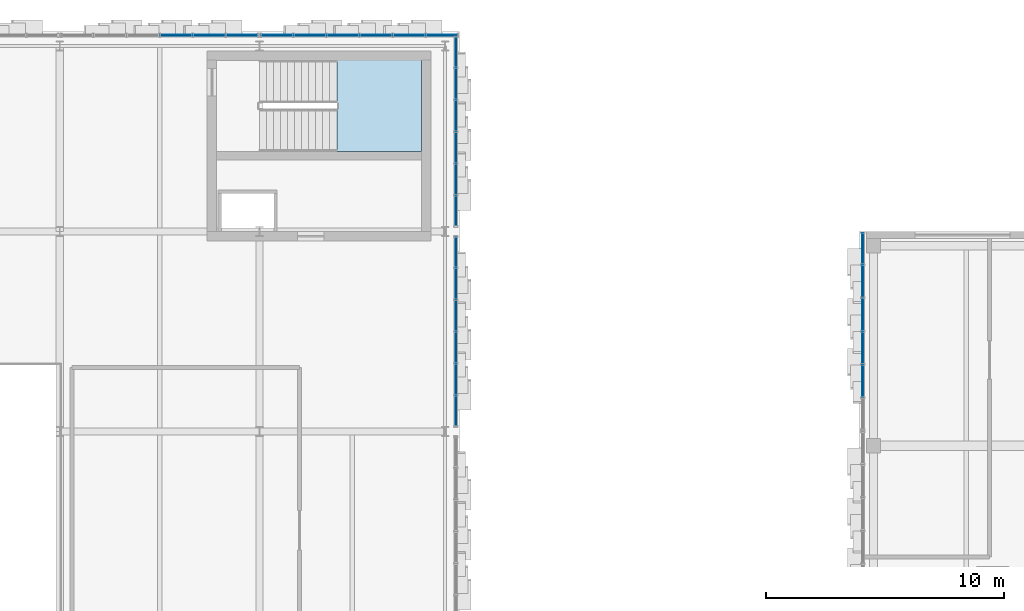
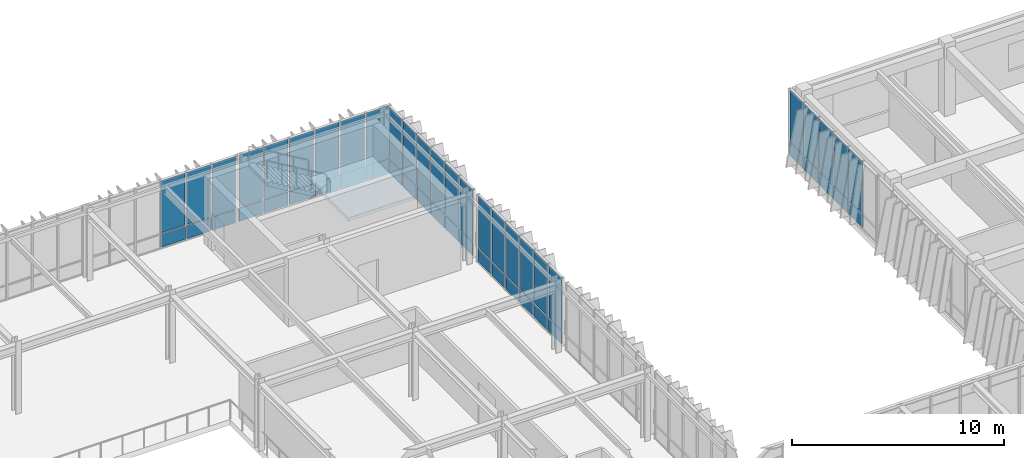
# One storey, part 92 of 127: 52 plates, 1 slab, 6 elements without a shape of their own.
"""IFC4 building model written with IfcOpenShell, lengths in metres."""

from ifc_helpers import new_model, si_unit, direction, frame, origin, origin_2d, place, context, subcontext, project, spatial, polyline, rectangle, outline, extrude, material, layer, layer_set, type_object, element, aggregate, save


model = new_model("IFC4")

# Units and contexts
model_context = context("Model", 3, precision=1e-05, world=origin(), true_north=direction((0.0, 1.0)))
body_context = subcontext(model_context, "Body", "Model", "MODEL_VIEW")
ifc_project = project(units=[si_unit("LENGTHUNIT", "METRE"), si_unit("AREAUNIT", "SQUARE_METRE"), si_unit("VOLUMEUNIT", "CUBIC_METRE"), si_unit("PLANEANGLEUNIT", "RADIAN"), si_unit("MASSUNIT", "GRAM", prefix="KILO")], contexts=[model_context])

# Site, building, storey
site_placement = place(None, origin())
site = spatial("IfcSite", under=ifc_project, at=site_placement, CompositionType="ELEMENT")
building_placement = place(site_placement, origin())
building = spatial("IfcBuilding", under=site, at=building_placement, Name="Zayran Congress Hotel", CompositionType="ELEMENT")
storey_placement = place(building_placement, frame((0.0, 0.0, 10.800048828125)))
storey = spatial("IfcBuildingStorey", under=building, at=storey_placement, Name="L02", CompositionType="ELEMENT", Elevation=10.800048828125)

# Curtain wall, plates
ifc_material_1 = material(Name="Anodised aluminium and low-E insulated glass", Category="aluminium")
ifc_layer_1 = layer(ifc_material_1, 0.179931640625)
ifc_layer_set_1 = layer_set([ifc_layer_1], Name="Anodised aluminium and low-E insulated glass")
curtain_wall_type_1 = type_object("IfcCurtainWallType", Name="CW-V1N-L02-CW-23-8360-3920", PredefinedType="USERDEFINED", material=ifc_layer_set_1)
curtain_wall_1_placement = place(storey_placement, origin())
curtain_wall_1 = element("IfcCurtainWall", 1, at=curtain_wall_1_placement, inside=storey, type_object=curtain_wall_type_1, Name="CW-V1N-L02-8", ObjectType="CURTAIN WALL", PredefinedType="USERDEFINED")
ifc_material_2 = material(Name="Insulated warm bronze aluminium spandrel panel", Category="aluminium")
ifc_layer_2 = layer(ifc_material_2, 0.06005859375)
ifc_layer_set_2 = layer_set([ifc_layer_2], Name="Insulated warm bronze aluminium spandrel panel")
plate_type_1 = type_object("IfcPlateType", Name="CWP-SP-1273-750", PredefinedType="CURTAIN_PANEL", material=ifc_layer_set_2)
plate_1_placement = place(storey_placement, frame((83.26318359375, 117.85009765625, 0.06005859375), z_axis=(0.0, 0.0, 1.0), x_axis=(1.0, 0.0, 0.0)))
plate_1 = element("IfcPlate", 2, at=plate_1_placement, type_object=plate_type_1, Name="CW-23 Spandrel Panel 1", PredefinedType="CURTAIN_PANEL", context=body_context, shape_type="SweptSolid", body=[
    extrude(rectangle(XDim=1.273193359375, YDim=0.06005859375, at=origin_2d()), origin(), (0.0, 0.0, 1.0), 0.75),
])
plate_2_placement = place(storey_placement, frame((81.889892578125, 117.85009765625, 0.06005859375), z_axis=(0.0, 0.0, 1.0), x_axis=(1.0, 0.0, 0.0)))
plate_2 = element("IfcPlate", 3, at=plate_2_placement, type_object=plate_type_1, Name="CW-23 Spandrel Panel 2", PredefinedType="CURTAIN_PANEL", context=body_context, shape_type="SweptSolid", body=[
    extrude(rectangle(XDim=1.313232421875, YDim=0.06005859375, at=origin_2d()), origin(), (0.0, 0.0, 1.0), 0.75),
])
plate_3_placement = place(storey_placement, frame((80.49658203125, 117.85009765625, 0.06005859375), z_axis=(0.0, 0.0, 1.0), x_axis=(1.0, 0.0, 0.0)))
plate_3 = element("IfcPlate", 4, at=plate_3_placement, type_object=plate_type_1, Name="CW-23 Spandrel Panel 3", PredefinedType="CURTAIN_PANEL", context=body_context, shape_type="SweptSolid", body=[
    extrude(rectangle(XDim=1.313232421875, YDim=0.06005859375, at=origin_2d()), origin(), (0.0, 0.0, 1.0), 0.75),
])

ifc_layer_3 = layer(ifc_material_1, 0.179931640625)
ifc_layer_set_3 = layer_set([ifc_layer_3], Name="Anodised aluminium and low-E insulated glass")
curtain_wall_type_2 = type_object("IfcCurtainWallType", Name="CW-V1N-L02-CW-21-8360-3920", PredefinedType="USERDEFINED", material=ifc_layer_set_3)
curtain_wall_2_placement = place(storey_placement, origin())
curtain_wall_2 = element("IfcCurtainWall", 5, at=curtain_wall_2_placement, inside=storey, type_object=curtain_wall_type_2, Name="CW-V1N-L02-9", ObjectType="CURTAIN WALL", PredefinedType="USERDEFINED")
plate_4_placement = place(storey_placement, frame((91.663330078125, 117.85009765625, 0.06005859375), z_axis=(0.0, 0.0, 1.0), x_axis=(1.0, 0.0, 0.0)))
plate_4 = element("IfcPlate", 6, at=plate_4_placement, type_object=plate_type_1, Name="CW-21 Spandrel Panel 1", PredefinedType="CURTAIN_PANEL", context=body_context, shape_type="SweptSolid", body=[
    extrude(rectangle(XDim=1.273193359375, YDim=0.06005859375, at=origin_2d()), origin(), (0.0, 0.0, 1.0), 0.75),
])
plate_5_placement = place(storey_placement, frame((90.2900390625, 117.85009765625, 0.06005859375), z_axis=(0.0, 0.0, 1.0), x_axis=(1.0, 0.0, 0.0)))
plate_5 = element("IfcPlate", 7, at=plate_5_placement, type_object=plate_type_1, Name="CW-21 Spandrel Panel 2", PredefinedType="CURTAIN_PANEL", context=body_context, shape_type="SweptSolid", body=[
    extrude(rectangle(XDim=1.313232421875, YDim=0.06005859375, at=origin_2d()), origin(), (0.0, 0.0, 1.0), 0.75),
])
plate_6_placement = place(storey_placement, frame((88.896728515625, 117.85009765625, 0.06005859375), z_axis=(0.0, 0.0, 1.0), x_axis=(1.0, 0.0, 0.0)))
plate_6 = element("IfcPlate", 8, at=plate_6_placement, type_object=plate_type_1, Name="CW-21 Spandrel Panel 3", PredefinedType="CURTAIN_PANEL", context=body_context, shape_type="SweptSolid", body=[
    extrude(rectangle(XDim=1.313232421875, YDim=0.06005859375, at=origin_2d()), origin(), (0.0, 0.0, 1.0), 0.75),
])
plate_7_placement = place(storey_placement, frame((87.50341796875, 117.85009765625, 0.06005859375), z_axis=(0.0, 0.0, 1.0), x_axis=(1.0, 0.0, 0.0)))
plate_7 = element("IfcPlate", 9, at=plate_7_placement, type_object=plate_type_1, Name="CW-21 Spandrel Panel 4", PredefinedType="CURTAIN_PANEL", context=body_context, shape_type="SweptSolid", body=[
    extrude(rectangle(XDim=1.313232421875, YDim=0.06005859375, at=origin_2d()), origin(), (0.0, 0.0, 1.0), 0.75),
])
plate_8_placement = place(storey_placement, frame((86.110107421875, 117.85009765625, 0.06005859375), z_axis=(0.0, 0.0, 1.0), x_axis=(1.0, 0.0, 0.0)))
plate_8 = element("IfcPlate", 10, at=plate_8_placement, type_object=plate_type_1, Name="CW-21 Spandrel Panel 5", PredefinedType="CURTAIN_PANEL", context=body_context, shape_type="SweptSolid", body=[
    extrude(rectangle(XDim=1.313232421875, YDim=0.06005859375, at=origin_2d()), origin(), (0.0, 0.0, 1.0), 0.75),
])
plate_9_placement = place(storey_placement, frame((84.73681640625, 117.85009765625, 0.06005859375), z_axis=(0.0, 0.0, 1.0), x_axis=(1.0, 0.0, 0.0)))
plate_9 = element("IfcPlate", 11, at=plate_9_placement, type_object=plate_type_1, Name="CW-21 Spandrel Panel 6", PredefinedType="CURTAIN_PANEL", context=body_context, shape_type="SweptSolid", body=[
    extrude(rectangle(XDim=1.273193359375, YDim=0.06005859375, at=origin_2d()), origin(), (0.0, 0.0, 1.0), 0.75),
])

ifc_layer_4 = layer(ifc_material_1, 0.179931640625)
ifc_layer_set_4 = layer_set([ifc_layer_4], Name="Anodised aluminium and low-E insulated glass")
curtain_wall_type_3 = type_object("IfcCurtainWallType", Name="CW-V1E-L02-CW-41-8040-3920", PredefinedType="USERDEFINED", material=ifc_layer_set_4)
curtain_wall_3_placement = place(storey_placement, origin())
curtain_wall_3 = element("IfcCurtainWall", 12, at=curtain_wall_3_placement, inside=storey, type_object=curtain_wall_type_3, Name="CW-V1E-L02-4", ObjectType="CURTAIN WALL", PredefinedType="USERDEFINED")
ifc_layer_5 = layer(ifc_material_2, 0.06005859375)
ifc_layer_set_5 = layer_set([ifc_layer_5], Name="Insulated warm bronze aluminium spandrel panel")
plate_type_2 = type_object("IfcPlateType", Name="CWP-SP-1220-750", PredefinedType="CURTAIN_PANEL", material=ifc_layer_set_5)
plate_10_placement = place(storey_placement, frame((92.25, 102.070068359375, 0.06005859375), z_axis=(0.0, 0.0, 1.0), x_axis=(0.0, 1.0, 0.0)))
plate_10 = element("IfcPlate", 13, at=plate_10_placement, type_object=plate_type_2, Name="CW-41 Spandrel Panel 1", PredefinedType="CURTAIN_PANEL", context=body_context, shape_type="SweptSolid", body=[
    extrude(rectangle(XDim=1.219970703125, YDim=0.06005859375, at=origin_2d()), origin(), (0.0, 0.0, 1.0), 0.75),
])
plate_11_placement = place(storey_placement, frame((92.25, 103.389892578125, 0.06005859375), z_axis=(0.0, 0.0, 1.0), x_axis=(0.0, 1.0, 0.0)))
plate_11 = element("IfcPlate", 14, at=plate_11_placement, type_object=plate_type_2, Name="CW-41 Spandrel Panel 2", PredefinedType="CURTAIN_PANEL", context=body_context, shape_type="SweptSolid", body=[
    extrude(rectangle(XDim=1.260009765625, YDim=0.06005859375, at=origin_2d()), origin(), (0.0, 0.0, 1.0), 0.75),
])
plate_12_placement = place(storey_placement, frame((92.25, 104.72998046875, 0.06005859375), z_axis=(0.0, 0.0, 1.0), x_axis=(0.0, 1.0, 0.0)))
plate_12 = element("IfcPlate", 15, at=plate_12_placement, type_object=plate_type_2, Name="CW-41 Spandrel Panel 3", PredefinedType="CURTAIN_PANEL", context=body_context, shape_type="SweptSolid", body=[
    extrude(rectangle(XDim=1.260009765625, YDim=0.06005859375, at=origin_2d()), origin(), (0.0, 0.0, 1.0), 0.75),
])
plate_13_placement = place(storey_placement, frame((92.25, 106.070068359375, 0.06005859375), z_axis=(0.0, 0.0, 1.0), x_axis=(0.0, 1.0, 0.0)))
plate_13 = element("IfcPlate", 16, at=plate_13_placement, type_object=plate_type_2, Name="CW-41 Spandrel Panel 4", PredefinedType="CURTAIN_PANEL", context=body_context, shape_type="SweptSolid", body=[
    extrude(rectangle(XDim=1.260009765625, YDim=0.06005859375, at=origin_2d()), origin(), (0.0, 0.0, 1.0), 0.75),
])
plate_14_placement = place(storey_placement, frame((92.25, 107.409912109375, 0.06005859375), z_axis=(0.0, 0.0, 1.0), x_axis=(0.0, 1.0, 0.0)))
plate_14 = element("IfcPlate", 17, at=plate_14_placement, type_object=plate_type_2, Name="CW-41 Spandrel Panel 5", PredefinedType="CURTAIN_PANEL", context=body_context, shape_type="SweptSolid", body=[
    extrude(rectangle(XDim=1.260009765625, YDim=0.06005859375, at=origin_2d()), origin(), (0.0, 0.0, 1.0), 0.75),
])
plate_15_placement = place(storey_placement, frame((92.25, 108.72998046875, 0.06005859375), z_axis=(0.0, 0.0, 1.0), x_axis=(0.0, 1.0, 0.0)))
plate_15 = element("IfcPlate", 18, at=plate_15_placement, type_object=plate_type_2, Name="CW-41 Spandrel Panel 6", PredefinedType="CURTAIN_PANEL", context=body_context, shape_type="SweptSolid", body=[
    extrude(rectangle(XDim=1.219970703125, YDim=0.06005859375, at=origin_2d()), origin(), (0.0, 0.0, 1.0), 0.75),
])

ifc_layer_6 = layer(ifc_material_1, 0.179931640625)
ifc_layer_set_6 = layer_set([ifc_layer_6], Name="Anodised aluminium and low-E insulated glass")
curtain_wall_type_4 = type_object("IfcCurtainWallType", Name="CW-V1E-L02-CW-42-8040-3920", PredefinedType="USERDEFINED", material=ifc_layer_set_6)
curtain_wall_4_placement = place(storey_placement, origin())
curtain_wall_4 = element("IfcCurtainWall", 19, at=curtain_wall_4_placement, inside=storey, type_object=curtain_wall_type_4, Name="CW-V1E-L02-5", ObjectType="CURTAIN WALL", PredefinedType="USERDEFINED")
plate_16_placement = place(storey_placement, frame((92.25, 110.469970703125, 0.06005859375), z_axis=(0.0, 0.0, 1.0), x_axis=(0.0, 1.0, 0.0)))
plate_16 = element("IfcPlate", 20, at=plate_16_placement, type_object=plate_type_2, Name="CW-42 Spandrel Panel 1", PredefinedType="CURTAIN_PANEL", context=body_context, shape_type="SweptSolid", body=[
    extrude(rectangle(XDim=1.219970703125, YDim=0.06005859375, at=origin_2d()), origin(), (0.0, 0.0, 1.0), 0.75),
])
plate_17_placement = place(storey_placement, frame((92.25, 111.7900390625, 0.06005859375), z_axis=(0.0, 0.0, 1.0), x_axis=(0.0, 1.0, 0.0)))
plate_17 = element("IfcPlate", 21, at=plate_17_placement, type_object=plate_type_2, Name="CW-42 Spandrel Panel 2", PredefinedType="CURTAIN_PANEL", context=body_context, shape_type="SweptSolid", body=[
    extrude(rectangle(XDim=1.260009765625, YDim=0.06005859375, at=origin_2d()), origin(), (0.0, 0.0, 1.0), 0.75),
])
plate_18_placement = place(storey_placement, frame((92.25, 113.1298828125, 0.06005859375), z_axis=(0.0, 0.0, 1.0), x_axis=(0.0, 1.0, 0.0)))
plate_18 = element("IfcPlate", 22, at=plate_18_placement, type_object=plate_type_2, Name="CW-42 Spandrel Panel 3", PredefinedType="CURTAIN_PANEL", context=body_context, shape_type="SweptSolid", body=[
    extrude(rectangle(XDim=1.260009765625, YDim=0.06005859375, at=origin_2d()), origin(), (0.0, 0.0, 1.0), 0.75),
])
plate_19_placement = place(storey_placement, frame((92.25, 114.469970703125, 0.06005859375), z_axis=(0.0, 0.0, 1.0), x_axis=(0.0, 1.0, 0.0)))
plate_19 = element("IfcPlate", 23, at=plate_19_placement, type_object=plate_type_2, Name="CW-42 Spandrel Panel 4", PredefinedType="CURTAIN_PANEL", context=body_context, shape_type="SweptSolid", body=[
    extrude(rectangle(XDim=1.260009765625, YDim=0.06005859375, at=origin_2d()), origin(), (0.0, 0.0, 1.0), 0.75),
])
plate_20_placement = place(storey_placement, frame((92.25, 115.81005859375, 0.06005859375), z_axis=(0.0, 0.0, 1.0), x_axis=(0.0, 1.0, 0.0)))
plate_20 = element("IfcPlate", 24, at=plate_20_placement, type_object=plate_type_2, Name="CW-42 Spandrel Panel 5", PredefinedType="CURTAIN_PANEL", context=body_context, shape_type="SweptSolid", body=[
    extrude(rectangle(XDim=1.260009765625, YDim=0.06005859375, at=origin_2d()), origin(), (0.0, 0.0, 1.0), 0.75),
])
plate_21_placement = place(storey_placement, frame((92.25, 117.1298828125, 0.06005859375), z_axis=(0.0, 0.0, 1.0), x_axis=(0.0, 1.0, 0.0)))
plate_21 = element("IfcPlate", 25, at=plate_21_placement, type_object=plate_type_2, Name="CW-42 Spandrel Panel 6", PredefinedType="CURTAIN_PANEL", context=body_context, shape_type="SweptSolid", body=[
    extrude(rectangle(XDim=1.219970703125, YDim=0.06005859375, at=origin_2d()), origin(), (0.0, 0.0, 1.0), 0.75),
])

# Plate
ifc_layer_7 = layer(ifc_material_1, 0.028076171875)
ifc_layer_set_7 = layer_set([ifc_layer_7], Name="Anodised aluminium and low-E insulated glass")
plate_type_3 = type_object("IfcPlateType", Name="CWP-GL-1273-2990", PredefinedType="CURTAIN_PANEL", material=ifc_layer_set_7)
plate_22_placement = place(storey_placement, frame((83.26318359375, 117.85009765625, 0.8701171875), z_axis=(0.0, 0.0, 1.0), x_axis=(1.0, 0.0, 0.0)))
plate_22 = element("IfcPlate", 26, at=plate_22_placement, type_object=plate_type_3, Name="CW-23 Glazed Panel 1", PredefinedType="CURTAIN_PANEL", context=body_context, shape_type="SweptSolid", body=[
    extrude(rectangle(XDim=1.273193359375, YDim=0.028076171875, at=origin_2d()), origin(), (0.0, 0.0, 1.0), 2.989990234375),
])

plate_23_placement = place(storey_placement, frame((81.889892578125, 117.85009765625, 0.8701171875), z_axis=(0.0, 0.0, 1.0), x_axis=(1.0, 0.0, 0.0)))
plate_23 = element("IfcPlate", 27, at=plate_23_placement, type_object=plate_type_3, Name="CW-23 Glazed Panel 2", PredefinedType="CURTAIN_PANEL", context=body_context, shape_type="SweptSolid", body=[
    extrude(rectangle(XDim=1.313232421875, YDim=0.028076171875, at=origin_2d()), origin(), (0.0, 0.0, 1.0), 2.989990234375),
])

plate_24_placement = place(storey_placement, frame((80.49658203125, 117.85009765625, 0.8701171875), z_axis=(0.0, 0.0, 1.0), x_axis=(1.0, 0.0, 0.0)))
plate_24 = element("IfcPlate", 28, at=plate_24_placement, type_object=plate_type_3, Name="CW-23 Glazed Panel 3", PredefinedType="CURTAIN_PANEL", context=body_context, shape_type="SweptSolid", body=[
    extrude(rectangle(XDim=1.313232421875, YDim=0.028076171875, at=origin_2d()), origin(), (0.0, 0.0, 1.0), 2.989990234375),
])

aggregate(curtain_wall_1, [plate_1, plate_22, plate_2, plate_23, plate_3, plate_24])

plate_25_placement = place(storey_placement, frame((91.663330078125, 117.85009765625, 0.8701171875), z_axis=(0.0, 0.0, 1.0), x_axis=(1.0, 0.0, 0.0)))
plate_25 = element("IfcPlate", 29, at=plate_25_placement, type_object=plate_type_3, Name="CW-21 Glazed Panel 1", PredefinedType="CURTAIN_PANEL", context=body_context, shape_type="SweptSolid", body=[
    extrude(rectangle(XDim=1.273193359375, YDim=0.028076171875, at=origin_2d()), origin(), (0.0, 0.0, 1.0), 2.989990234375),
])

plate_26_placement = place(storey_placement, frame((90.2900390625, 117.85009765625, 0.8701171875), z_axis=(0.0, 0.0, 1.0), x_axis=(1.0, 0.0, 0.0)))
plate_26 = element("IfcPlate", 30, at=plate_26_placement, type_object=plate_type_3, Name="CW-21 Glazed Panel 2", PredefinedType="CURTAIN_PANEL", context=body_context, shape_type="SweptSolid", body=[
    extrude(rectangle(XDim=1.313232421875, YDim=0.028076171875, at=origin_2d()), origin(), (0.0, 0.0, 1.0), 2.989990234375),
])

plate_27_placement = place(storey_placement, frame((88.896728515625, 117.85009765625, 0.8701171875), z_axis=(0.0, 0.0, 1.0), x_axis=(1.0, 0.0, 0.0)))
plate_27 = element("IfcPlate", 31, at=plate_27_placement, type_object=plate_type_3, Name="CW-21 Glazed Panel 3", PredefinedType="CURTAIN_PANEL", context=body_context, shape_type="SweptSolid", body=[
    extrude(rectangle(XDim=1.313232421875, YDim=0.028076171875, at=origin_2d()), origin(), (0.0, 0.0, 1.0), 2.989990234375),
])

plate_28_placement = place(storey_placement, frame((87.50341796875, 117.85009765625, 0.8701171875), z_axis=(0.0, 0.0, 1.0), x_axis=(1.0, 0.0, 0.0)))
plate_28 = element("IfcPlate", 32, at=plate_28_placement, type_object=plate_type_3, Name="CW-21 Glazed Panel 4", PredefinedType="CURTAIN_PANEL", context=body_context, shape_type="SweptSolid", body=[
    extrude(rectangle(XDim=1.313232421875, YDim=0.028076171875, at=origin_2d()), origin(), (0.0, 0.0, 1.0), 2.989990234375),
])

plate_29_placement = place(storey_placement, frame((86.110107421875, 117.85009765625, 0.8701171875), z_axis=(0.0, 0.0, 1.0), x_axis=(1.0, 0.0, 0.0)))
plate_29 = element("IfcPlate", 33, at=plate_29_placement, type_object=plate_type_3, Name="CW-21 Glazed Panel 5", PredefinedType="CURTAIN_PANEL", context=body_context, shape_type="SweptSolid", body=[
    extrude(rectangle(XDim=1.313232421875, YDim=0.028076171875, at=origin_2d()), origin(), (0.0, 0.0, 1.0), 2.989990234375),
])

plate_30_placement = place(storey_placement, frame((84.73681640625, 117.85009765625, 0.8701171875), z_axis=(0.0, 0.0, 1.0), x_axis=(1.0, 0.0, 0.0)))
plate_30 = element("IfcPlate", 34, at=plate_30_placement, type_object=plate_type_3, Name="CW-21 Glazed Panel 6", PredefinedType="CURTAIN_PANEL", context=body_context, shape_type="SweptSolid", body=[
    extrude(rectangle(XDim=1.273193359375, YDim=0.028076171875, at=origin_2d()), origin(), (0.0, 0.0, 1.0), 2.989990234375),
])

aggregate(curtain_wall_2, [plate_4, plate_25, plate_5, plate_26, plate_6, plate_27, plate_7, plate_28, plate_8, plate_29, plate_9, plate_30])

ifc_layer_8 = layer(ifc_material_1, 0.028076171875)
ifc_layer_set_8 = layer_set([ifc_layer_8], Name="Anodised aluminium and low-E insulated glass")
plate_type_4 = type_object("IfcPlateType", Name="CWP-GL-1220-2990", PredefinedType="CURTAIN_PANEL", material=ifc_layer_set_8)
plate_31_placement = place(storey_placement, frame((92.25, 102.070068359375, 0.8701171875), z_axis=(0.0, 0.0, 1.0), x_axis=(0.0, 1.0, 0.0)))
plate_31 = element("IfcPlate", 35, at=plate_31_placement, type_object=plate_type_4, Name="CW-41 Glazed Panel 1", PredefinedType="CURTAIN_PANEL", context=body_context, shape_type="SweptSolid", body=[
    extrude(rectangle(XDim=1.219970703125, YDim=0.028076171875, at=origin_2d()), origin(), (0.0, 0.0, 1.0), 2.989990234375),
])

plate_32_placement = place(storey_placement, frame((92.25, 103.389892578125, 0.8701171875), z_axis=(0.0, 0.0, 1.0), x_axis=(0.0, 1.0, 0.0)))
plate_32 = element("IfcPlate", 36, at=plate_32_placement, type_object=plate_type_4, Name="CW-41 Glazed Panel 2", PredefinedType="CURTAIN_PANEL", context=body_context, shape_type="SweptSolid", body=[
    extrude(rectangle(XDim=1.260009765625, YDim=0.028076171875, at=origin_2d()), origin(), (0.0, 0.0, 1.0), 2.989990234375),
])

plate_33_placement = place(storey_placement, frame((92.25, 104.72998046875, 0.8701171875), z_axis=(0.0, 0.0, 1.0), x_axis=(0.0, 1.0, 0.0)))
plate_33 = element("IfcPlate", 37, at=plate_33_placement, type_object=plate_type_4, Name="CW-41 Glazed Panel 3", PredefinedType="CURTAIN_PANEL", context=body_context, shape_type="SweptSolid", body=[
    extrude(rectangle(XDim=1.260009765625, YDim=0.028076171875, at=origin_2d()), origin(), (0.0, 0.0, 1.0), 2.989990234375),
])

plate_34_placement = place(storey_placement, frame((92.25, 106.070068359375, 0.8701171875), z_axis=(0.0, 0.0, 1.0), x_axis=(0.0, 1.0, 0.0)))
plate_34 = element("IfcPlate", 38, at=plate_34_placement, type_object=plate_type_4, Name="CW-41 Glazed Panel 4", PredefinedType="CURTAIN_PANEL", context=body_context, shape_type="SweptSolid", body=[
    extrude(rectangle(XDim=1.260009765625, YDim=0.028076171875, at=origin_2d()), origin(), (0.0, 0.0, 1.0), 2.989990234375),
])

plate_35_placement = place(storey_placement, frame((92.25, 107.409912109375, 0.8701171875), z_axis=(0.0, 0.0, 1.0), x_axis=(0.0, 1.0, 0.0)))
plate_35 = element("IfcPlate", 39, at=plate_35_placement, type_object=plate_type_4, Name="CW-41 Glazed Panel 5", PredefinedType="CURTAIN_PANEL", context=body_context, shape_type="SweptSolid", body=[
    extrude(rectangle(XDim=1.260009765625, YDim=0.028076171875, at=origin_2d()), origin(), (0.0, 0.0, 1.0), 2.989990234375),
])

plate_36_placement = place(storey_placement, frame((92.25, 108.72998046875, 0.8701171875), z_axis=(0.0, 0.0, 1.0), x_axis=(0.0, 1.0, 0.0)))
plate_36 = element("IfcPlate", 40, at=plate_36_placement, type_object=plate_type_4, Name="CW-41 Glazed Panel 6", PredefinedType="CURTAIN_PANEL", context=body_context, shape_type="SweptSolid", body=[
    extrude(rectangle(XDim=1.219970703125, YDim=0.028076171875, at=origin_2d()), origin(), (0.0, 0.0, 1.0), 2.989990234375),
])

aggregate(curtain_wall_3, [plate_10, plate_31, plate_11, plate_32, plate_12, plate_33, plate_13, plate_34, plate_14, plate_35, plate_15, plate_36])

plate_37_placement = place(storey_placement, frame((92.25, 110.469970703125, 0.8701171875), z_axis=(0.0, 0.0, 1.0), x_axis=(0.0, 1.0, 0.0)))
plate_37 = element("IfcPlate", 41, at=plate_37_placement, type_object=plate_type_4, Name="CW-42 Glazed Panel 1", PredefinedType="CURTAIN_PANEL", context=body_context, shape_type="SweptSolid", body=[
    extrude(rectangle(XDim=1.219970703125, YDim=0.028076171875, at=origin_2d()), origin(), (0.0, 0.0, 1.0), 2.989990234375),
])

plate_38_placement = place(storey_placement, frame((92.25, 111.7900390625, 0.8701171875), z_axis=(0.0, 0.0, 1.0), x_axis=(0.0, 1.0, 0.0)))
plate_38 = element("IfcPlate", 42, at=plate_38_placement, type_object=plate_type_4, Name="CW-42 Glazed Panel 2", PredefinedType="CURTAIN_PANEL", context=body_context, shape_type="SweptSolid", body=[
    extrude(rectangle(XDim=1.260009765625, YDim=0.028076171875, at=origin_2d()), origin(), (0.0, 0.0, 1.0), 2.989990234375),
])

plate_39_placement = place(storey_placement, frame((92.25, 113.1298828125, 0.8701171875), z_axis=(0.0, 0.0, 1.0), x_axis=(0.0, 1.0, 0.0)))
plate_39 = element("IfcPlate", 43, at=plate_39_placement, type_object=plate_type_4, Name="CW-42 Glazed Panel 3", PredefinedType="CURTAIN_PANEL", context=body_context, shape_type="SweptSolid", body=[
    extrude(rectangle(XDim=1.260009765625, YDim=0.028076171875, at=origin_2d()), origin(), (0.0, 0.0, 1.0), 2.989990234375),
])

plate_40_placement = place(storey_placement, frame((92.25, 114.469970703125, 0.8701171875), z_axis=(0.0, 0.0, 1.0), x_axis=(0.0, 1.0, 0.0)))
plate_40 = element("IfcPlate", 44, at=plate_40_placement, type_object=plate_type_4, Name="CW-42 Glazed Panel 4", PredefinedType="CURTAIN_PANEL", context=body_context, shape_type="SweptSolid", body=[
    extrude(rectangle(XDim=1.260009765625, YDim=0.028076171875, at=origin_2d()), origin(), (0.0, 0.0, 1.0), 2.989990234375),
])

plate_41_placement = place(storey_placement, frame((92.25, 115.81005859375, 0.8701171875), z_axis=(0.0, 0.0, 1.0), x_axis=(0.0, 1.0, 0.0)))
plate_41 = element("IfcPlate", 45, at=plate_41_placement, type_object=plate_type_4, Name="CW-42 Glazed Panel 5", PredefinedType="CURTAIN_PANEL", context=body_context, shape_type="SweptSolid", body=[
    extrude(rectangle(XDim=1.260009765625, YDim=0.028076171875, at=origin_2d()), origin(), (0.0, 0.0, 1.0), 2.989990234375),
])

plate_42_placement = place(storey_placement, frame((92.25, 117.1298828125, 0.8701171875), z_axis=(0.0, 0.0, 1.0), x_axis=(0.0, 1.0, 0.0)))
plate_42 = element("IfcPlate", 46, at=plate_42_placement, type_object=plate_type_4, Name="CW-42 Glazed Panel 6", PredefinedType="CURTAIN_PANEL", context=body_context, shape_type="SweptSolid", body=[
    extrude(rectangle(XDim=1.219970703125, YDim=0.028076171875, at=origin_2d()), origin(), (0.0, 0.0, 1.0), 2.989990234375),
])

aggregate(curtain_wall_4, [plate_16, plate_37, plate_17, plate_38, plate_18, plate_39, plate_19, plate_40, plate_20, plate_41, plate_21, plate_42])

# Curtain wall, plates
ifc_layer_9 = layer(ifc_material_1, 0.179931640625)
ifc_layer_set_9 = layer_set([ifc_layer_9], Name="Anodised aluminium and low-E insulated glass")
curtain_wall_type_5 = type_object("IfcCurtainWallType", Name="CW-V4W-L02-CW-52-8376-3920", PredefinedType="USERDEFINED", material=ifc_layer_set_9)
curtain_wall_5_placement = place(storey_placement, origin())
curtain_wall_5 = element("IfcCurtainWall", 47, at=curtain_wall_5_placement, inside=storey, type_object=curtain_wall_type_5, Name="CW-V4W-L02-7", ObjectType="CURTAIN WALL", PredefinedType="USERDEFINED")
ifc_layer_10 = layer(ifc_material_2, 0.06005859375)
ifc_layer_set_10 = layer_set([ifc_layer_10], Name="Insulated warm bronze aluminium spandrel panel")
plate_type_5 = type_object("IfcPlateType", Name="CWP-SP-1276-750", PredefinedType="CURTAIN_PANEL", material=ifc_layer_set_10)
plate_43_placement = place(storey_placement, frame((109.35009765625, 108.882080078125, 0.06005859375), z_axis=(0.0, 0.0, 1.0), x_axis=(0.0, 1.0, 0.0)))
plate_43 = element("IfcPlate", 48, at=plate_43_placement, type_object=plate_type_5, Name="CW-52 Spandrel Panel 1", PredefinedType="CURTAIN_PANEL", context=body_context, shape_type="SweptSolid", body=[
    extrude(rectangle(XDim=1.27587890625, YDim=0.06005859375, at=origin_2d()), origin(), (0.0, 0.0, 1.0), 0.75),
])
plate_44_placement = place(storey_placement, frame((109.35009765625, 107.506103515625, 0.06005859375), z_axis=(0.0, 0.0, 1.0), x_axis=(0.0, 1.0, 0.0)))
plate_44 = element("IfcPlate", 49, at=plate_44_placement, type_object=plate_type_5, Name="CW-52 Spandrel Panel 2", PredefinedType="CURTAIN_PANEL", context=body_context, shape_type="SweptSolid", body=[
    extrude(rectangle(XDim=1.31591796875, YDim=0.06005859375, at=origin_2d()), origin(), (0.0, 0.0, 1.0), 0.75),
])
plate_45_placement = place(storey_placement, frame((109.35009765625, 106.110107421875, 0.06005859375), z_axis=(0.0, 0.0, 1.0), x_axis=(0.0, 1.0, 0.0)))
plate_45 = element("IfcPlate", 50, at=plate_45_placement, type_object=plate_type_5, Name="CW-52 Spandrel Panel 3", PredefinedType="CURTAIN_PANEL", context=body_context, shape_type="SweptSolid", body=[
    extrude(rectangle(XDim=1.31591796875, YDim=0.06005859375, at=origin_2d()), origin(), (0.0, 0.0, 1.0), 0.75),
])
plate_46_placement = place(storey_placement, frame((109.35009765625, 104.714111328125, 0.06005859375), z_axis=(0.0, 0.0, 1.0), x_axis=(0.0, 1.0, 0.0)))
plate_46 = element("IfcPlate", 51, at=plate_46_placement, type_object=plate_type_5, Name="CW-52 Spandrel Panel 4", PredefinedType="CURTAIN_PANEL", context=body_context, shape_type="SweptSolid", body=[
    extrude(rectangle(XDim=1.31591796875, YDim=0.06005859375, at=origin_2d()), origin(), (0.0, 0.0, 1.0), 0.75),
])
plate_47_placement = place(storey_placement, frame((109.35009765625, 103.318115234375, 0.06005859375), z_axis=(0.0, 0.0, 1.0), x_axis=(0.0, 1.0, 0.0)))
plate_47 = element("IfcPlate", 52, at=plate_47_placement, type_object=plate_type_5, Name="CW-52 Spandrel Panel 5", PredefinedType="CURTAIN_PANEL", context=body_context, shape_type="SweptSolid", body=[
    extrude(rectangle(XDim=1.31591796875, YDim=0.06005859375, at=origin_2d()), origin(), (0.0, 0.0, 1.0), 0.75),
])
ifc_layer_11 = layer(ifc_material_1, 0.028076171875)
ifc_layer_set_11 = layer_set([ifc_layer_11], Name="Anodised aluminium and low-E insulated glass")
plate_type_6 = type_object("IfcPlateType", Name="CWP-GL-1276-2990", PredefinedType="CURTAIN_PANEL", material=ifc_layer_set_11)
plate_48_placement = place(storey_placement, frame((109.35009765625, 108.882080078125, 0.8701171875), z_axis=(0.0, 0.0, 1.0), x_axis=(0.0, 1.0, 0.0)))
plate_48 = element("IfcPlate", 53, at=plate_48_placement, type_object=plate_type_6, Name="CW-52 Glazed Panel 1", PredefinedType="CURTAIN_PANEL", context=body_context, shape_type="SweptSolid", body=[
    extrude(rectangle(XDim=1.27587890625, YDim=0.028076171875, at=origin_2d()), origin(), (0.0, 0.0, 1.0), 2.989990234375),
])
plate_49_placement = place(storey_placement, frame((109.35009765625, 107.506103515625, 0.8701171875), z_axis=(0.0, 0.0, 1.0), x_axis=(0.0, 1.0, 0.0)))
plate_49 = element("IfcPlate", 54, at=plate_49_placement, type_object=plate_type_6, Name="CW-52 Glazed Panel 2", PredefinedType="CURTAIN_PANEL", context=body_context, shape_type="SweptSolid", body=[
    extrude(rectangle(XDim=1.31591796875, YDim=0.028076171875, at=origin_2d()), origin(), (0.0, 0.0, 1.0), 2.989990234375),
])
plate_50_placement = place(storey_placement, frame((109.35009765625, 106.110107421875, 0.8701171875), z_axis=(0.0, 0.0, 1.0), x_axis=(0.0, 1.0, 0.0)))
plate_50 = element("IfcPlate", 55, at=plate_50_placement, type_object=plate_type_6, Name="CW-52 Glazed Panel 3", PredefinedType="CURTAIN_PANEL", context=body_context, shape_type="SweptSolid", body=[
    extrude(rectangle(XDim=1.31591796875, YDim=0.028076171875, at=origin_2d()), origin(), (0.0, 0.0, 1.0), 2.989990234375),
])
plate_51_placement = place(storey_placement, frame((109.35009765625, 104.714111328125, 0.8701171875), z_axis=(0.0, 0.0, 1.0), x_axis=(0.0, 1.0, 0.0)))
plate_51 = element("IfcPlate", 56, at=plate_51_placement, type_object=plate_type_6, Name="CW-52 Glazed Panel 4", PredefinedType="CURTAIN_PANEL", context=body_context, shape_type="SweptSolid", body=[
    extrude(rectangle(XDim=1.31591796875, YDim=0.028076171875, at=origin_2d()), origin(), (0.0, 0.0, 1.0), 2.989990234375),
])
plate_52_placement = place(storey_placement, frame((109.35009765625, 103.318115234375, 0.8701171875), z_axis=(0.0, 0.0, 1.0), x_axis=(0.0, 1.0, 0.0)))
plate_52 = element("IfcPlate", 57, at=plate_52_placement, type_object=plate_type_6, Name="CW-52 Glazed Panel 5", PredefinedType="CURTAIN_PANEL", context=body_context, shape_type="SweptSolid", body=[
    extrude(rectangle(XDim=1.31591796875, YDim=0.028076171875, at=origin_2d()), origin(), (0.0, 0.0, 1.0), 2.989990234375),
])
aggregate(curtain_wall_5, [plate_43, plate_48, plate_44, plate_49, plate_45, plate_50, plate_46, plate_51, plate_47, plate_52])

# Stair, slab
ifc_material_3 = material(Name="Concrete C32/40", Category="concrete")
stair_type = type_object("IfcStairType", Name="TP-STR-1800-42", PredefinedType="USERDEFINED", material=ifc_material_3)
stair_placement = place(storey_placement, origin())
stair = element("IfcStair", 58, at=stair_placement, inside=storey, type_object=stair_type, Name="L02 ST-04", ObjectType="TWO_RETURN_STAIR", PredefinedType="USERDEFINED")
ifc_layer_12 = layer(ifc_material_3, 0.199951171875)
ifc_layer_set_12 = layer_set([ifc_layer_12], Name="Concrete C32/40")
slab_type = type_object("IfcSlabType", Name="TP-LND-1800", PredefinedType="LANDING", material=ifc_layer_set_12)
slab_placement = place(storey_placement, frame((0.0, 0.0, 1.89990234375)))
slab = element("IfcSlab", 59, at=slab_placement, type_object=slab_type, Name="ST-04 landing 1", PredefinedType="LANDING", context=body_context, shape_type="SweptSolid", body=[
    extrude(outline(polyline([(87.2451171875, 112.9599609375), (90.800048828125, 112.9599609375), (90.800048828125, 116.800048828125), (87.2451171875, 116.800048828125), (87.2451171875, 112.9599609375)])), origin(), (0.0, 0.0, 1.0), 0.199951171875),
])
aggregate(stair, [slab])

save(model, "model.ifc")
